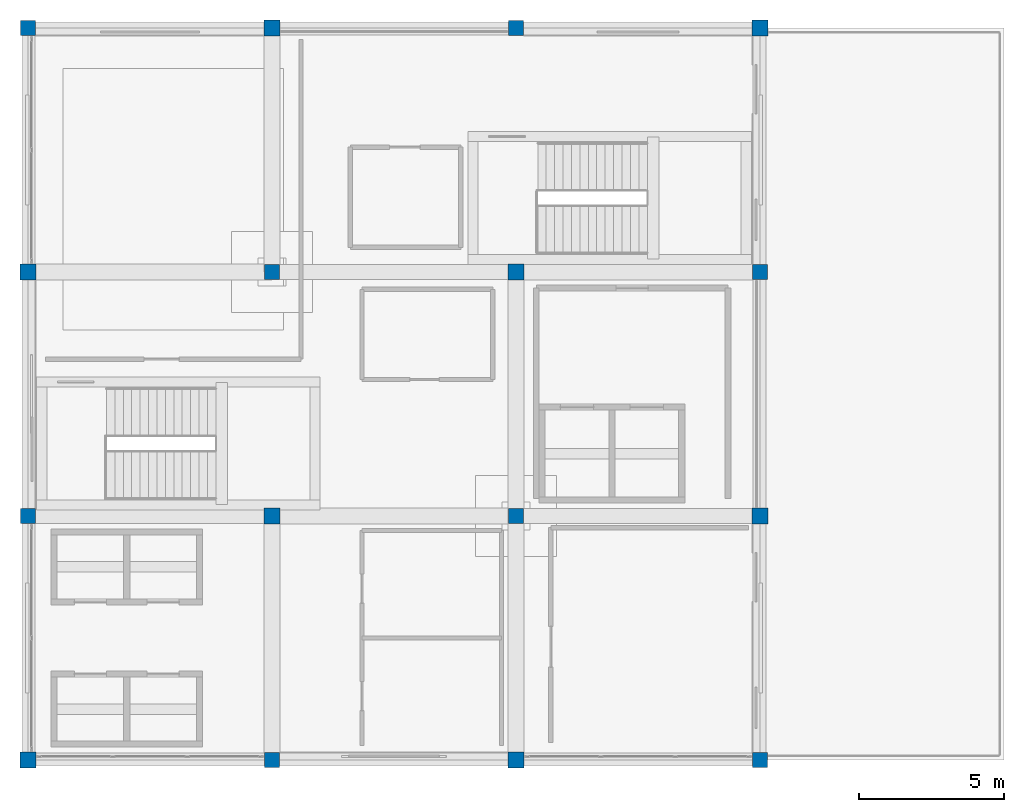
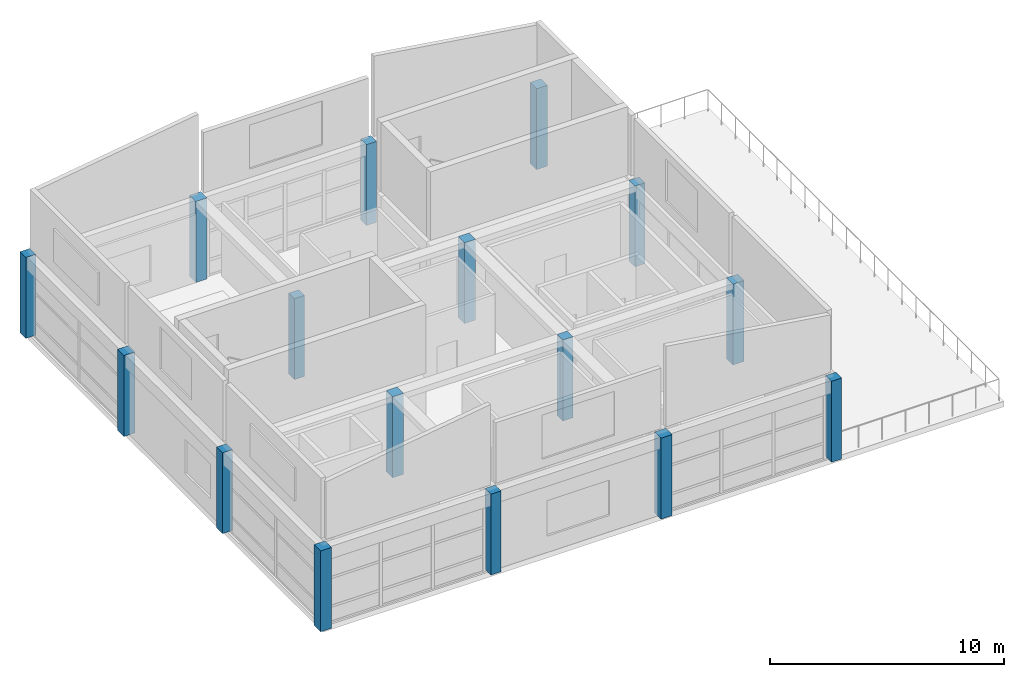
# One storey, part 1 of 17: 16 columns.
"""IFC4 building model written with IfcOpenShell, lengths in metres."""

from ifc_helpers import new_model, si_unit, direction, frame, origin, origin_2d, place, context, subcontext, project, spatial, rectangle, extrude, material, material_profile, profile_set, type_object, element, save


model = new_model("IFC4")

# Units and contexts
model_context = context("Model", 3, precision=1e-05, world=origin(), true_north=direction((0.0, 1.0)))
body_context = subcontext(model_context, "Body", "Model", "MODEL_VIEW")
ifc_project = project(units=[si_unit("LENGTHUNIT", "METRE"), si_unit("AREAUNIT", "SQUARE_METRE"), si_unit("VOLUMEUNIT", "CUBIC_METRE"), si_unit("PLANEANGLEUNIT", "RADIAN"), si_unit("MASSUNIT", "GRAM", prefix="KILO")], contexts=[model_context])

# Site, building, storey
site_placement = place(None, origin())
site = spatial("IfcSite", under=ifc_project, at=site_placement, CompositionType="ELEMENT")
building_placement = place(site_placement, origin())
building = spatial("IfcBuilding", under=site, at=building_placement, Name="Almacenes y Pasaje Nevantli", CompositionType="ELEMENT")
storey_placement = place(building_placement, frame((0.0, 0.0, 66.699951171875)))
storey = spatial("IfcBuildingStorey", under=building, at=storey_placement, Name="L16", CompositionType="ELEMENT", Elevation=66.699951171875)

# Columns
ifc_material_1 = material(Name="Concrete C45/55", Category="concrete")
ifc_material_profile_1 = material_profile(ifc_material_1, rectangle(XDim=0.5, YDim=0.5, at=origin_2d()), Name="RC-COL-500x500")
ifc_profile_set_1 = profile_set([ifc_material_profile_1], Name="Concrete C45/55")
column_type_1 = type_object("IfcColumnType", Name="COL-RC-500", PredefinedType="COLUMN", material=ifc_profile_set_1)
for number, where, z_axis, x_axis, name in (
    (1, (117.60009765625, 75.60009765625, 0.0), (0.0, 0.0, 1.0), (1.0, 0.0, 0.0), "L16 Reinforced Concrete Column CL-10 #2372"),
    (2, (117.60009765625, 92.39990234375, 0.0), (0.0, 0.0, 1.0), (1.0, 0.0, 0.0), "L16 Reinforced Concrete Column CL-10 #2374"),
    (3, (126.0, 67.199951171875, 0.0), (0.0, 0.0, 1.0), (1.0, 0.0, 0.0), "L16 Reinforced Concrete Column CL-10 #2375"),
    (4, (126.0, 84.0, 0.0), (0.0, 0.0, 1.0), (1.0, 0.0, 0.0), "L16 Reinforced Concrete Column CL-10 #2377"),
    (5, (134.39990234375, 75.60009765625, 0.0), (0.0, 0.0, 1.0), (1.0, 0.0, 0.0), "L16 Reinforced Concrete Column CL-10 #2380"),
    (6, (134.39990234375, 92.39990234375, 0.0), (0.0, 0.0, 1.0), (1.0, 0.0, 0.0), "L16 Reinforced Concrete Column CL-10 #2382"),
    (7, (142.800048828125, 67.199951171875, 0.0), (0.0, 0.0, 1.0), (1.0, 0.0, 0.0), "L16 Reinforced Concrete Column CL-10 #2383"),
    (8, (142.800048828125, 84.0, 0.0), (0.0, 0.0, 1.0), (1.0, 0.0, 0.0), "L16 Reinforced Concrete Column CL-10 #2385"),
):
    element("IfcColumn", number, at=place(storey_placement, frame(where, z_axis=z_axis, x_axis=x_axis)), inside=storey, type_object=column_type_1, Name=name, PredefinedType="COLUMN", context=body_context, shape_type="SweptSolid", body=[
        extrude(rectangle(XDim=0.5, YDim=0.5, at=origin_2d()), origin(), (0.0, 0.0, 1.0), 4.219970703125),
    ])
ifc_material_2 = material(Name="Concrete C45/55", Category="concrete")
ifc_material_profile_2 = material_profile(ifc_material_2, rectangle(XDim=0.550048828125, YDim=0.550048828125, at=origin_2d()), Name="RC-COL-550x550")
ifc_profile_set_2 = profile_set([ifc_material_profile_2], Name="Concrete C45/55")
column_type_2 = type_object("IfcColumnType", Name="COL-RC-550", PredefinedType="COLUMN", material=ifc_profile_set_2)
for number, where, z_axis, x_axis, name in (
    (9, (117.60009765625, 67.199951171875, 0.0), (0.0, 0.0, 1.0), (1.0, 0.0, 0.0), "L16 Reinforced Concrete Column CL-09 #2371"),
    (10, (117.60009765625, 84.0, 0.0), (0.0, 0.0, 1.0), (1.0, 0.0, 0.0), "L16 Reinforced Concrete Column CL-09 #2373"),
    (11, (126.0, 75.60009765625, 0.0), (0.0, 0.0, 1.0), (1.0, 0.0, 0.0), "L16 Reinforced Concrete Column CL-09 #2376"),
    (12, (126.0, 92.39990234375, 0.0), (0.0, 0.0, 1.0), (1.0, 0.0, 0.0), "L16 Reinforced Concrete Column CL-09 #2378"),
    (13, (134.39990234375, 67.199951171875, 0.0), (0.0, 0.0, 1.0), (1.0, 0.0, 0.0), "L16 Reinforced Concrete Column CL-09 #2379"),
    (14, (134.39990234375, 84.0, 0.0), (0.0, 0.0, 1.0), (1.0, 0.0, 0.0), "L16 Reinforced Concrete Column CL-09 #2381"),
    (15, (142.800048828125, 75.60009765625, 0.0), (0.0, 0.0, 1.0), (1.0, 0.0, 0.0), "L16 Reinforced Concrete Column CL-09 #2384"),
    (16, (142.800048828125, 92.39990234375, 0.0), (0.0, 0.0, 1.0), (1.0, 0.0, 0.0), "L16 Reinforced Concrete Column CL-09 #2386"),
):
    element("IfcColumn", number, at=place(storey_placement, frame(where, z_axis=z_axis, x_axis=x_axis)), inside=storey, type_object=column_type_2, Name=name, PredefinedType="COLUMN", context=body_context, shape_type="SweptSolid", body=[
        extrude(rectangle(XDim=0.550048828125, YDim=0.550048828125, at=origin_2d()), origin(), (0.0, 0.0, 1.0), 4.219970703125),
    ])

save(model, "model.ifc")
